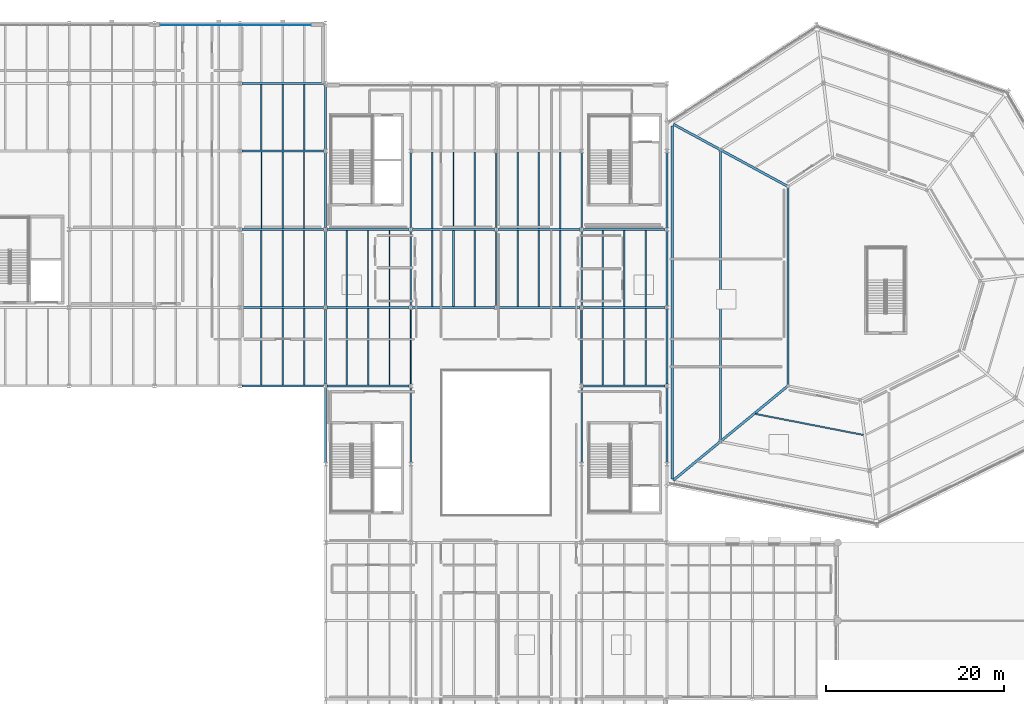
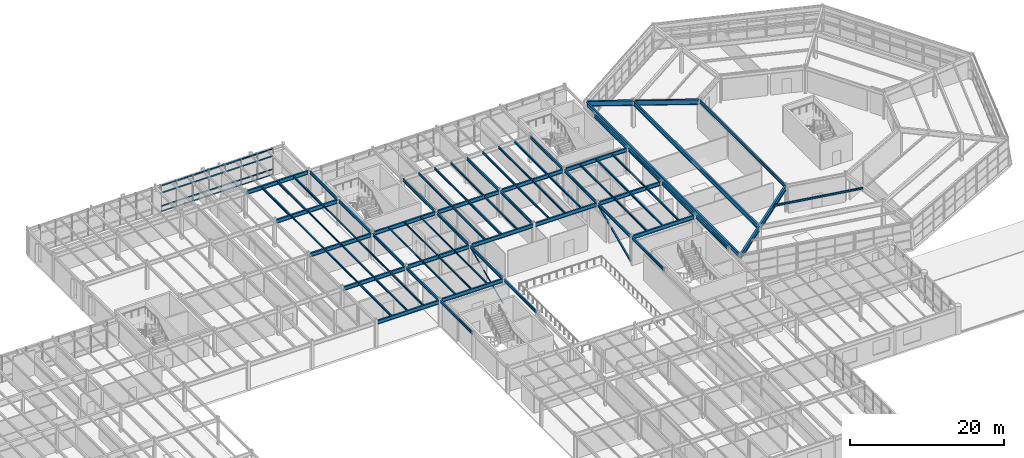
# One storey, part 36 of 77: 76 beams, 6 members, 1 element without a shape of its own.
"""IFC4 building model written with IfcOpenShell, lengths in metres."""

from ifc_helpers import new_model, si_unit, direction, frame, origin, origin_2d, place, context, subcontext, project, spatial, rectangle, hollow_rectangle, i_section, extrude, material, material_profile, profile_set, type_object, element, aggregate, save


model = new_model("IFC4")

# Units and contexts
model_context = context("Model", 3, precision=1e-05, world=origin(), true_north=direction((0.0, 1.0)))
body_context = subcontext(model_context, "Body", "Model", "MODEL_VIEW")
ifc_project = project(units=[si_unit("LENGTHUNIT", "METRE"), si_unit("AREAUNIT", "SQUARE_METRE"), si_unit("VOLUMEUNIT", "CUBIC_METRE"), si_unit("PLANEANGLEUNIT", "RADIAN"), si_unit("MASSUNIT", "GRAM", prefix="KILO")], contexts=[model_context])

# Site, building, storey
site_placement = place(None, origin())
site = spatial("IfcSite", under=ifc_project, at=site_placement, CompositionType="ELEMENT")
building_placement = place(site_placement, origin())
building = spatial("IfcBuilding", under=site, at=building_placement, Name="Sarnbrook Museum", CompositionType="ELEMENT")
storey_placement = place(building_placement, frame((0.0, 0.0, 5.60009765625)))
storey = spatial("IfcBuildingStorey", under=building, at=storey_placement, Name="L01", CompositionType="ELEMENT", Elevation=5.60009765625)

# Beams
ifc_material_1 = material(Name="Structural Steel Grade 300PLUS (AS/NZS 3679.1, fy = 280 MPa for 17 < t <= 40 mm, 300 MPa for t <= 17 mm)", Category="steel")
ifc_material_profile_1 = material_profile(ifc_material_1, i_section(OverallWidth=0.18994140625, OverallDepth=0.45703125, WebThickness=0.009033203125, FlangeThickness=0.014404296875, FilletRadius=0.011474609375, at=origin_2d()), Name="460UB74.6")
ifc_profile_set_1 = profile_set([ifc_material_profile_1], Name="Structural Steel Grade 300PLUS (AS/NZS 3679.1, fy = 280 MPa for 17 < t <= 40 mm, 300 MPa for t <= 17 mm)")
beam_type_1 = type_object("IfcBeamType", Name="BM-UB460", PredefinedType="BEAM", material=ifc_profile_set_1)
for number, where, z_axis, x_axis, name in (
    (1, (80.800048828125, 65.791015625, 4.021484375), (0.0, 1.0, 0.0), (-1.0, 0.0, 0.0), "Girder 9:H-J L01"),
    (2, (80.800048828125, 74.591064453125, 3.951416015625), (0.0, 1.0, 0.0), (-1.0, 0.0, 0.0), "Girder 9:J-K L01"),
    (3, (80.800048828125, 83.39111328125, 3.951416015625), (0.0, 1.0, 0.0), (-1.0, 0.0, 0.0), "Girder 9:K-L L01"),
    (4, (80.800048828125, 92.19091796875, 3.951416015625), (0.0, 1.0, 0.0), (-1.0, 0.0, 0.0), "Girder 9:L-M L01"),
):
    element("IfcBeam", number, at=place(storey_placement, frame(where, z_axis=z_axis, x_axis=x_axis)), inside=storey, type_object=beam_type_1, Name=name, PredefinedType="BEAM", context=body_context, shape_type="SweptSolid", body=[
        extrude(i_section(OverallWidth=0.18994140625, OverallDepth=0.45703125, WebThickness=0.009033203125, FlangeThickness=0.014404296875, FilletRadius=0.011474609375, at=origin_2d()), origin(), (0.0, 0.0, 1.0), 8.41796875),
    ])
beam_1_placement = place(storey_placement, frame((80.800048828125, 100.990966796875, 3.951416015625), z_axis=(0.0, 1.0, 0.0), x_axis=(-1.0, 0.0, 0.0)))
element("IfcBeam", 5, at=beam_1_placement, inside=storey, type_object=beam_type_1, Name="Girder 9:M-N L01", PredefinedType="BEAM", context=body_context, shape_type="SweptSolid", body=[
    extrude(i_section(OverallWidth=0.18994140625, OverallDepth=0.45703125, WebThickness=0.009033203125, FlangeThickness=0.014404296875, FilletRadius=0.011474609375, at=origin_2d()), origin(), (0.0, 0.0, 1.0), 7.218017578125),
])
for number, where, z_axis, x_axis, name in (
    (6, (90.39990234375, 65.791015625, 4.021484375), (0.0, 1.0, 0.0), (-1.0, 0.0, 0.0), "Girder 10:H-J L01"),
    (7, (90.39990234375, 74.591064453125, 4.021484375), (0.0, 1.0, 0.0), (-1.0, 0.0, 0.0), "Girder 10:J-K L01"),
    (8, (90.39990234375, 83.39111328125, 4.021484375), (0.0, 1.0, 0.0), (-1.0, 0.0, 0.0), "Girder 10:K-L L01"),
    (9, (90.39990234375, 92.19091796875, 4.021484375), (0.0, 1.0, 0.0), (-1.0, 0.0, 0.0), "Girder 10:L-M L01"),
    (10, (100.0, 83.39111328125, 4.021484375), (0.0, 1.0, 0.0), (-1.0, 0.0, 0.0), "Girder 11:K-L L01"),
    (11, (100.0, 92.19091796875, 4.021484375), (0.0, 1.0, 0.0), (-1.0, 0.0, 0.0), "Girder 11:L-M L01"),
    (12, (109.60009765625, 65.791015625, 4.021484375), (0.0, 1.0, 0.0), (-1.0, 0.0, 0.0), "Girder 12:H-J L01"),
    (13, (109.60009765625, 74.591064453125, 4.021484375), (0.0, 1.0, 0.0), (-1.0, 0.0, 0.0), "Girder 12:J-K L01"),
    (14, (109.60009765625, 83.39111328125, 4.021484375), (0.0, 1.0, 0.0), (-1.0, 0.0, 0.0), "Girder 12:K-L L01"),
    (15, (109.60009765625, 92.19091796875, 4.021484375), (0.0, 1.0, 0.0), (-1.0, 0.0, 0.0), "Girder 12:L-M L01"),
    (16, (119.199951171875, 65.791015625, 4.021484375), (0.0, 1.0, 0.0), (-1.0, 0.0, 0.0), "Girder 13:H-J L01"),
    (17, (119.199951171875, 74.591064453125, 4.021484375), (0.0, 1.0, 0.0), (-1.0, 0.0, 0.0), "Girder 13:J-K L01"),
    (18, (119.199951171875, 83.39111328125, 4.021484375), (0.0, 1.0, 0.0), (-1.0, 0.0, 0.0), "Girder 13:K-L L01"),
    (19, (119.199951171875, 92.19091796875, 4.021484375), (0.0, 1.0, 0.0), (-1.0, 0.0, 0.0), "Girder 13:L-M L01"),
):
    element("IfcBeam", number, at=place(storey_placement, frame(where, z_axis=z_axis, x_axis=x_axis)), inside=storey, type_object=beam_type_1, Name=name, PredefinedType="BEAM", context=body_context, shape_type="SweptSolid", body=[
        extrude(i_section(OverallWidth=0.18994140625, OverallDepth=0.45703125, WebThickness=0.009033203125, FlangeThickness=0.014404296875, FilletRadius=0.011474609375, at=origin_2d()), origin(), (0.0, 0.0, 1.0), 8.41796875),
    ])
ifc_material_profile_2 = material_profile(ifc_material_1, i_section(OverallWidth=0.208984375, OverallDepth=0.532958984375, WebThickness=0.01025390625, FlangeThickness=0.015625, FilletRadius=0.013916015625, at=origin_2d()), Name="530UB92.4")
ifc_profile_set_2 = profile_set([ifc_material_profile_2], Name="Structural Steel Grade 300PLUS (AS/NZS 3679.1, fy = 280 MPa for 17 < t <= 40 mm, 300 MPa for t <= 17 mm)")
beam_type_2 = type_object("IfcBeamType", Name="BM-UB530", PredefinedType="BEAM", material=ifc_profile_set_2)
beam_2_placement = place(storey_placement, frame((132.800048828125, 96.692138671875, 3.973388671875), z_axis=(0.0, -1.0, 0.0), x_axis=(1.0, 0.0, 0.0)))
element("IfcBeam", 20, at=beam_2_placement, inside=storey, type_object=beam_type_2, Name="Crystal Hall R2 Ring Girder 7 L01", PredefinedType="BEAM", context=body_context, shape_type="SweptSolid", body=[
    extrude(i_section(OverallWidth=0.208984375, OverallDepth=0.532958984375, WebThickness=0.01025390625, FlangeThickness=0.015625, FilletRadius=0.013916015625, at=origin_2d()), origin(), (0.0, 0.0, 1.0), 22.1669921875),
])
ifc_material_profile_3 = material_profile(ifc_material_1, i_section(OverallWidth=0.22802734375, OverallDepth=0.60693359375, WebThickness=0.01123046875, FlangeThickness=0.017333984375, FilletRadius=0.013916015625, at=origin_2d()), Name="610UB113")
ifc_profile_set_3 = profile_set([ifc_material_profile_3], Name="Structural Steel Grade 300PLUS (AS/NZS 3679.1, fy = 280 MPa for 17 < t <= 40 mm, 300 MPa for t <= 17 mm)")
beam_type_3 = type_object("IfcBeamType", Name="BM-UB610", PredefinedType="BEAM", material=ifc_profile_set_3)
beam_3_placement = place(storey_placement, frame((71.39990234375, 74.39990234375, 3.87646484375), z_axis=(1.0, 0.0, 0.0), x_axis=(0.0, 1.0, 0.0)))
element("IfcBeam", 21, at=beam_3_placement, inside=storey, type_object=beam_type_3, Name="Girder J:8-9 L01", PredefinedType="BEAM", context=body_context, shape_type="SweptSolid", body=[
    extrude(i_section(OverallWidth=0.22802734375, OverallDepth=0.60693359375, WebThickness=0.01123046875, FlangeThickness=0.017333984375, FilletRadius=0.013916015625, at=origin_2d()), origin(), (0.0, 0.0, 1.0), 9.2001953125),
])
for number, where, z_axis, x_axis, name in (
    (22, (81.0, 74.39990234375, 3.9462890625), (1.0, 0.0, 0.0), (0.0, 1.0, 0.0), "Girder J:9-10 L01"),
    (23, (109.800048828125, 74.39990234375, 3.9462890625), (1.0, 0.0, 0.0), (0.0, 1.0, 0.0), "Girder J:12-13 L01"),
):
    element("IfcBeam", number, at=place(storey_placement, frame(where, z_axis=z_axis, x_axis=x_axis)), inside=storey, type_object=beam_type_3, Name=name, PredefinedType="BEAM", context=body_context, shape_type="SweptSolid", body=[
        extrude(i_section(OverallWidth=0.22802734375, OverallDepth=0.60693359375, WebThickness=0.01123046875, FlangeThickness=0.017333984375, FilletRadius=0.013916015625, at=origin_2d()), origin(), (0.0, 0.0, 1.0), 9.199951171875),
    ])
beam_4_placement = place(storey_placement, frame((71.39990234375, 83.199951171875, 3.87646484375), z_axis=(1.0, 0.0, 0.0), x_axis=(0.0, 1.0, 0.0)))
element("IfcBeam", 24, at=beam_4_placement, inside=storey, type_object=beam_type_3, Name="Girder K:8-9 L01", PredefinedType="BEAM", context=body_context, shape_type="SweptSolid", body=[
    extrude(i_section(OverallWidth=0.22802734375, OverallDepth=0.60693359375, WebThickness=0.01123046875, FlangeThickness=0.017333984375, FilletRadius=0.013916015625, at=origin_2d()), origin(), (0.0, 0.0, 1.0), 9.2001953125),
])
for number, where, z_axis, x_axis, name in (
    (25, (81.0, 83.199951171875, 3.9462890625), (1.0, 0.0, 0.0), (0.0, 1.0, 0.0), "Girder K:9-10 L01"),
    (26, (90.60009765625, 83.199951171875, 3.9462890625), (1.0, 0.0, 0.0), (0.0, 1.0, 0.0), "Girder K:10-11 L01"),
    (27, (100.199951171875, 83.199951171875, 3.9462890625), (1.0, 0.0, 0.0), (0.0, 1.0, 0.0), "Girder K:11-12 L01"),
    (28, (109.800048828125, 83.199951171875, 3.9462890625), (1.0, 0.0, 0.0), (0.0, 1.0, 0.0), "Girder K:12-13 L01"),
):
    element("IfcBeam", number, at=place(storey_placement, frame(where, z_axis=z_axis, x_axis=x_axis)), inside=storey, type_object=beam_type_3, Name=name, PredefinedType="BEAM", context=body_context, shape_type="SweptSolid", body=[
        extrude(i_section(OverallWidth=0.22802734375, OverallDepth=0.60693359375, WebThickness=0.01123046875, FlangeThickness=0.017333984375, FilletRadius=0.013916015625, at=origin_2d()), origin(), (0.0, 0.0, 1.0), 9.199951171875),
    ])
beam_5_placement = place(storey_placement, frame((71.39990234375, 92.0, 3.87646484375), z_axis=(1.0, 0.0, 0.0), x_axis=(0.0, 1.0, 0.0)))
element("IfcBeam", 29, at=beam_5_placement, inside=storey, type_object=beam_type_3, Name="Girder L:8-9 L01", PredefinedType="BEAM", context=body_context, shape_type="SweptSolid", body=[
    extrude(i_section(OverallWidth=0.22802734375, OverallDepth=0.60693359375, WebThickness=0.01123046875, FlangeThickness=0.017333984375, FilletRadius=0.013916015625, at=origin_2d()), origin(), (0.0, 0.0, 1.0), 9.2001953125),
])
for number, where, z_axis, x_axis, name in (
    (30, (81.0, 92.0, 3.9462890625), (1.0, 0.0, 0.0), (0.0, 1.0, 0.0), "Girder L:9-10 L01"),
    (31, (90.60009765625, 92.0, 3.9462890625), (1.0, 0.0, 0.0), (0.0, 1.0, 0.0), "Girder L:10-11 L01"),
    (32, (100.199951171875, 92.0, 3.9462890625), (1.0, 0.0, 0.0), (0.0, 1.0, 0.0), "Girder L:11-12 L01"),
    (33, (109.800048828125, 92.0, 3.9462890625), (1.0, 0.0, 0.0), (0.0, 1.0, 0.0), "Girder L:12-13 L01"),
):
    element("IfcBeam", number, at=place(storey_placement, frame(where, z_axis=z_axis, x_axis=x_axis)), inside=storey, type_object=beam_type_3, Name=name, PredefinedType="BEAM", context=body_context, shape_type="SweptSolid", body=[
        extrude(i_section(OverallWidth=0.22802734375, OverallDepth=0.60693359375, WebThickness=0.01123046875, FlangeThickness=0.017333984375, FilletRadius=0.013916015625, at=origin_2d()), origin(), (0.0, 0.0, 1.0), 9.199951171875),
    ])
for number, where, z_axis, x_axis, name in (
    (34, (71.39990234375, 100.800048828125, 3.87646484375), (1.0, 0.0, 0.0), (0.0, 1.0, 0.0), "Girder M:8-9 L01"),
    (35, (71.39990234375, 108.39990234375, 3.87646484375), (1.0, 0.0, 0.0), (0.0, 1.0, 0.0), "Girder N:8-9 L01"),
):
    element("IfcBeam", number, at=place(storey_placement, frame(where, z_axis=z_axis, x_axis=x_axis)), inside=storey, type_object=beam_type_3, Name=name, PredefinedType="BEAM", context=body_context, shape_type="SweptSolid", body=[
        extrude(i_section(OverallWidth=0.22802734375, OverallDepth=0.60693359375, WebThickness=0.01123046875, FlangeThickness=0.017333984375, FilletRadius=0.013916015625, at=origin_2d()), origin(), (0.0, 0.0, 1.0), 9.2001953125),
    ])
ifc_material_2 = material(Name="Structural Steel Grade 350L0 (AS/NZS 3678, fy = 340 MPa for 20 < t <= 40 mm)", Category="steel")
ifc_material_profile_4 = material_profile(ifc_material_2, i_section(OverallWidth=0.25, OverallDepth=0.699951171875, WebThickness=0.010009765625, FlangeThickness=0.01611328125, at=origin_2d()), Name="700WB130")
ifc_profile_set_4 = profile_set([ifc_material_profile_4], Name="Structural Steel Grade 350L0 (AS/NZS 3678, fy = 340 MPa for 20 < t <= 40 mm)")
beam_type_4 = type_object("IfcBeamType", Name="BM-WB700", PredefinedType="BEAM", material=ifc_profile_set_4)
beam_6_placement = place(storey_placement, frame((119.79248046875, 103.628173828125, 3.889892578125), z_axis=(0.0, -1.0, 0.0), x_axis=(1.0, 0.0, 0.0)))
element("IfcBeam", 36, at=beam_6_placement, inside=storey, type_object=beam_type_4, Name="Crystal Hall Perimeter Ring Girder 7 L01", PredefinedType="BEAM", context=body_context, shape_type="SweptSolid", body=[
    extrude(i_section(OverallWidth=0.25, OverallDepth=0.699951171875, WebThickness=0.010009765625, FlangeThickness=0.01611328125, at=origin_2d()), origin(), (0.0, 0.0, 1.0), 39.690185546875),
])
beam_7_placement = place(storey_placement, frame((125.199951171875, 100.780517578125, 3.889892578125), z_axis=(0.0, -1.0, 0.0), x_axis=(1.0, 0.0, 0.0)))
element("IfcBeam", 37, at=beam_7_placement, inside=storey, type_object=beam_type_4, Name="Crystal Hall R1 Ring Girder 7 L01", PredefinedType="BEAM", context=body_context, shape_type="SweptSolid", body=[
    extrude(i_section(OverallWidth=0.25, OverallDepth=0.699951171875, WebThickness=0.010009765625, FlangeThickness=0.01611328125, at=origin_2d()), origin(), (0.0, 0.0, 1.0), 32.47705078125),
])

# Member
ifc_material_3 = material(Name="Structural Steel Hollow Section Grade C350L0 (AS/NZS 1163, fy = 350 MPa)", Category="steel")
ifc_material_profile_5 = material_profile(ifc_material_3, hollow_rectangle(XDim=0.199951171875, YDim=0.199951171875, WallThickness=0.010009765625, at=origin_2d()), Name="200x200x10.0SHS")
ifc_profile_set_5 = profile_set([ifc_material_profile_5], Name="Structural Steel Hollow Section Grade C350L0 (AS/NZS 1163, fy = 350 MPa)")
member_type_1 = type_object("IfcMemberType", Name="CH-SHS200", PredefinedType="CHORD", material=ifc_profile_set_5)
member_1_placement = place(storey_placement, frame((109.60009765625, 74.580078125, 0.119873046875), z_axis=(0.0, 0.914658395799, 0.404227682124), x_axis=(-1.0, 0.0, 0.0)))
element("IfcMember", 38, at=member_1_placement, inside=storey, type_object=member_type_1, Name="Lateral Diagonal Brace CBF-4 L01", PredefinedType="CHORD", context=body_context, shape_type="SweptSolid", body=[
    extrude(hollow_rectangle(XDim=0.199951171875, YDim=0.199951171875, WallThickness=0.010009765625, at=origin_2d()), origin(), (0.0, 0.0, 1.0), 9.2275390625),
])

# Beams
ifc_material_profile_6 = material_profile(ifc_material_2, i_section(OverallWidth=0.27490234375, OverallDepth=0.800048828125, WebThickness=0.010009765625, FlangeThickness=0.01611328125, at=origin_2d()), Name="800WB146")
ifc_profile_set_6 = profile_set([ifc_material_profile_6], Name="Structural Steel Grade 350L0 (AS/NZS 3678, fy = 340 MPa for 20 < t <= 40 mm)")
beam_type_5 = type_object("IfcBeamType", Name="CR-CANT", PredefinedType="BEAM", material=ifc_profile_set_6)
beam_8_placement = place(storey_placement, frame((132.70751953125, 74.328857421875, 3.83984375), z_axis=(-0.771788283103, -0.635879584564, 0.0), x_axis=(0.635879584564, -0.771788283103, 0.0)))
element("IfcBeam", 39, at=beam_8_placement, inside=storey, type_object=beam_type_5, Name="Crystal Hall Radial Cantilever Girder 1 L01", PredefinedType="BEAM", context=body_context, shape_type="SweptSolid", body=[
    extrude(i_section(OverallWidth=0.27490234375, OverallDepth=0.800048828125, WebThickness=0.010009765625, FlangeThickness=0.01611328125, at=origin_2d()), origin(), (0.0, 0.0, 1.0), 16.583984375),
])
beam_9_placement = place(storey_placement, frame((132.694580078125, 96.869384765625, 3.83984375), z_axis=(-0.878714128477, 0.477348384741, 0.0), x_axis=(-0.477348384741, -0.878714128477, 0.0)))
element("IfcBeam", 40, at=beam_9_placement, inside=storey, type_object=beam_type_5, Name="Crystal Hall Radial Cantilever Girder 7 L01", PredefinedType="BEAM", context=body_context, shape_type="SweptSolid", body=[
    extrude(i_section(OverallWidth=0.27490234375, OverallDepth=0.800048828125, WebThickness=0.010009765625, FlangeThickness=0.01611328125, at=origin_2d()), origin(), (0.0, 0.0, 1.0), 14.532958984375),
])

# Curtain wall, members
ifc_material_4 = material(Name="Thermally Broken Anodised Aluminium 6063-T6", Category="aluminium")
curtain_wall_type = type_object("IfcCurtainWallType", Name="CurtainWall_GalleryRibbon", PredefinedType="NOTDEFINED", material=ifc_material_4)
curtain_wall_placement = place(storey_placement, origin())
curtain_wall = element("IfcCurtainWall", 41, at=curtain_wall_placement, inside=storey, type_object=curtain_wall_type, Name="Gallery Ribbon Curtain Wall L01-8.1", PredefinedType="NOTDEFINED")
ifc_material_profile_7 = material_profile(ifc_material_4, rectangle(XDim=0.06494140625, YDim=0.139892578125, at=origin_2d()), Name="ALU TRANSOM 65x140")
ifc_profile_set_7 = profile_set([ifc_material_profile_7], Name="Thermally Broken Anodised Aluminium 6063-T6")
member_type_2 = type_object("IfcMemberType", Name="CW_Transom_150x65", PredefinedType="USERDEFINED", material=ifc_profile_set_7)
member_2_placement = place(storey_placement, frame((79.1298828125, 114.989990234375, 0.039794921875), z_axis=(-1.0, 0.0, 0.0), x_axis=(0.0, -1.0, 0.0)))
member_2 = element("IfcMember", 42, at=member_2_placement, type_object=member_type_2, Name="Gallery Ribbon Curtain Wall L01-8.1 Transom 1", ObjectType="TRANSOM", PredefinedType="USERDEFINED", context=body_context, shape_type="SweptSolid", body=[
    extrude(rectangle(XDim=0.06494140625, YDim=0.139892578125, at=origin_2d()), origin(), (0.0, 0.0, 1.0), 16.85986328125),
])
member_3_placement = place(storey_placement, frame((79.1298828125, 114.989990234375, 0.89990234375), z_axis=(-1.0, 0.0, 0.0), x_axis=(0.0, -1.0, 0.0)))
member_3 = element("IfcMember", 43, at=member_3_placement, type_object=member_type_2, Name="Gallery Ribbon Curtain Wall L01-8.1 Transom 2", ObjectType="TRANSOM", PredefinedType="USERDEFINED", context=body_context, shape_type="SweptSolid", body=[
    extrude(rectangle(XDim=0.06494140625, YDim=0.139892578125, at=origin_2d()), origin(), (0.0, 0.0, 1.0), 16.85986328125),
])
member_4_placement = place(storey_placement, frame((79.1298828125, 114.989990234375, 3.0), z_axis=(-1.0, 0.0, 0.0), x_axis=(0.0, -1.0, 0.0)))
member_4 = element("IfcMember", 44, at=member_4_placement, type_object=member_type_2, Name="Gallery Ribbon Curtain Wall L01-8.1 Transom 3", ObjectType="TRANSOM", PredefinedType="USERDEFINED", context=body_context, shape_type="SweptSolid", body=[
    extrude(rectangle(XDim=0.06494140625, YDim=0.139892578125, at=origin_2d()), origin(), (0.0, 0.0, 1.0), 16.85986328125),
])
member_5_placement = place(storey_placement, frame((79.1298828125, 114.989990234375, 4.119873046875), z_axis=(-1.0, 0.0, 0.0), x_axis=(0.0, -1.0, 0.0)))
member_5 = element("IfcMember", 45, at=member_5_placement, type_object=member_type_2, Name="Gallery Ribbon Curtain Wall L01-8.1 Transom 4", ObjectType="TRANSOM", PredefinedType="USERDEFINED", context=body_context, shape_type="SweptSolid", body=[
    extrude(rectangle(XDim=0.06494140625, YDim=0.139892578125, at=origin_2d()), origin(), (0.0, 0.0, 1.0), 16.85986328125),
])
aggregate(curtain_wall, [member_2, member_3, member_4, member_5])

# Beams
ifc_material_profile_8 = material_profile(ifc_material_1, i_section(OverallWidth=0.134033203125, OverallDepth=0.20703125, WebThickness=0.00634765625, FlangeThickness=0.009521484375, FilletRadius=0.0087890625, at=origin_2d()), Name="200UB29.8")
ifc_profile_set_8 = profile_set([ifc_material_profile_8], Name="Structural Steel Grade 300PLUS (AS/NZS 3679.1, fy = 280 MPa for 17 < t <= 40 mm, 300 MPa for t <= 17 mm)")
beam_type_6 = type_object("IfcBeamType", Name="JS-UB200", PredefinedType="JOIST", material=ifc_profile_set_8)
for number, where, z_axis, x_axis, name in (
    (46, (73.60009765625, 92.114013671875, 4.076416015625), (0.0, 1.0, 0.0), (-1.0, 0.0, 0.0), "Composite Floor Joist 8L-1 L01"),
    (47, (76.0, 92.114013671875, 4.076416015625), (0.0, 1.0, 0.0), (-1.0, 0.0, 0.0), "Composite Floor Joist 8L-2 L01"),
    (48, (78.39990234375, 92.114013671875, 4.076416015625), (0.0, 1.0, 0.0), (-1.0, 0.0, 0.0), "Composite Floor Joist 8L-3 L01"),
    (49, (83.199951171875, 83.31396484375, 4.146484375), (0.0, 1.0, 0.0), (-1.0, 0.0, 0.0), "Composite Floor Joist 9K-1 L01"),
    (50, (85.60009765625, 83.31396484375, 4.146484375), (0.0, 1.0, 0.0), (-1.0, 0.0, 0.0), "Composite Floor Joist 9K-2 L01"),
    (51, (88.0, 83.31396484375, 4.146484375), (0.0, 1.0, 0.0), (-1.0, 0.0, 0.0), "Composite Floor Joist 9K-3 L01"),
):
    element("IfcBeam", number, at=place(storey_placement, frame(where, z_axis=z_axis, x_axis=x_axis)), inside=storey, type_object=beam_type_6, Name=name, PredefinedType="JOIST", context=body_context, shape_type="SweptSolid", body=[
        extrude(i_section(OverallWidth=0.134033203125, OverallDepth=0.20703125, WebThickness=0.00634765625, FlangeThickness=0.009521484375, FilletRadius=0.0087890625, at=origin_2d()), origin(), (0.0, 0.0, 1.0), 8.572021484375),
    ])
ifc_material_profile_9 = material_profile(ifc_material_1, i_section(OverallWidth=0.14599609375, OverallDepth=0.256103515625, WebThickness=0.00634765625, FlangeThickness=0.010986328125, FilletRadius=0.0087890625, at=origin_2d()), Name="250UB37.3")
ifc_profile_set_9 = profile_set([ifc_material_profile_9], Name="Structural Steel Grade 300PLUS (AS/NZS 3679.1, fy = 280 MPa for 17 < t <= 40 mm, 300 MPa for t <= 17 mm)")
beam_type_7 = type_object("IfcBeamType", Name="JS-UB250", PredefinedType="JOIST", material=ifc_profile_set_9)
for number, where, z_axis, x_axis, name in (
    (52, (73.60009765625, 83.31396484375, 4.052001953125), (0.0, 1.0, 0.0), (-1.0, 0.0, 0.0), "Composite Floor Joist 8K-1 L01"),
    (53, (76.0, 83.31396484375, 4.052001953125), (0.0, 1.0, 0.0), (-1.0, 0.0, 0.0), "Composite Floor Joist 8K-2 L01"),
    (54, (78.39990234375, 83.31396484375, 4.052001953125), (0.0, 1.0, 0.0), (-1.0, 0.0, 0.0), "Composite Floor Joist 8K-3 L01"),
    (55, (83.199951171875, 74.513916015625, 4.121826171875), (0.0, 1.0, 0.0), (-1.0, 0.0, 0.0), "Composite Floor Joist 9J-1 L01"),
    (56, (85.60009765625, 74.513916015625, 4.121826171875), (0.0, 1.0, 0.0), (-1.0, 0.0, 0.0), "Composite Floor Joist 9J-2 L01"),
    (57, (88.0, 74.513916015625, 4.121826171875), (0.0, 1.0, 0.0), (-1.0, 0.0, 0.0), "Composite Floor Joist 9J-3 L01"),
):
    element("IfcBeam", number, at=place(storey_placement, frame(where, z_axis=z_axis, x_axis=x_axis)), inside=storey, type_object=beam_type_7, Name=name, PredefinedType="JOIST", context=body_context, shape_type="SweptSolid", body=[
        extrude(i_section(OverallWidth=0.14599609375, OverallDepth=0.256103515625, WebThickness=0.00634765625, FlangeThickness=0.010986328125, FilletRadius=0.0087890625, at=origin_2d()), origin(), (0.0, 0.0, 1.0), 8.572021484375),
    ])
ifc_material_profile_10 = material_profile(ifc_material_1, i_section(OverallWidth=0.1650390625, OverallDepth=0.303955078125, WebThickness=0.006103515625, FlangeThickness=0.01025390625, FilletRadius=0.011474609375, at=origin_2d()), Name="310UB40.4")
ifc_profile_set_10 = profile_set([ifc_material_profile_10], Name="Structural Steel Grade 300PLUS (AS/NZS 3679.1, fy = 280 MPa for 17 < t <= 40 mm, 300 MPa for t <= 17 mm)")
beam_type_8 = type_object("IfcBeamType", Name="JS-UB310", PredefinedType="JOIST", material=ifc_profile_set_10)
for number, where, z_axis, x_axis, name in (
    (58, (73.60009765625, 74.513916015625, 4.02783203125), (0.0, 1.0, 0.0), (-1.0, 0.0, 0.0), "Composite Floor Joist 8J-1 L01"),
    (59, (76.0, 74.513916015625, 4.02783203125), (0.0, 1.0, 0.0), (-1.0, 0.0, 0.0), "Composite Floor Joist 8J-2 L01"),
    (60, (78.39990234375, 74.513916015625, 4.02783203125), (0.0, 1.0, 0.0), (-1.0, 0.0, 0.0), "Composite Floor Joist 8J-3 L01"),
    (61, (102.39990234375, 92.114013671875, 4.097900390625), (0.0, 1.0, 0.0), (-1.0, 0.0, 0.0), "Composite Floor Joist 11L-1 L01"),
    (62, (104.800048828125, 92.114013671875, 4.097900390625), (0.0, 1.0, 0.0), (-1.0, 0.0, 0.0), "Composite Floor Joist 11L-2 L01"),
    (63, (107.199951171875, 92.114013671875, 4.097900390625), (0.0, 1.0, 0.0), (-1.0, 0.0, 0.0), "Composite Floor Joist 11L-3 L01"),
    (64, (112.0, 83.31396484375, 4.097900390625), (0.0, 1.0, 0.0), (-1.0, 0.0, 0.0), "Composite Floor Joist 12K-1 L01"),
    (65, (114.39990234375, 83.31396484375, 4.097900390625), (0.0, 1.0, 0.0), (-1.0, 0.0, 0.0), "Composite Floor Joist 12K-2 L01"),
    (66, (116.800048828125, 83.31396484375, 4.097900390625), (0.0, 1.0, 0.0), (-1.0, 0.0, 0.0), "Composite Floor Joist 12K-3 L01"),
):
    element("IfcBeam", number, at=place(storey_placement, frame(where, z_axis=z_axis, x_axis=x_axis)), inside=storey, type_object=beam_type_8, Name=name, PredefinedType="JOIST", context=body_context, shape_type="SweptSolid", body=[
        extrude(i_section(OverallWidth=0.1650390625, OverallDepth=0.303955078125, WebThickness=0.006103515625, FlangeThickness=0.01025390625, FilletRadius=0.011474609375, at=origin_2d()), origin(), (0.0, 0.0, 1.0), 8.572021484375),
    ])
beam_10_placement = place(storey_placement, frame((129.156982421875, 71.24365234375, 4.087890625), z_axis=(0.981530313101, -0.191306676475, 0.0), x_axis=(0.191306676475, 0.981530313101, 0.0)))
element("IfcBeam", 67, at=beam_10_placement, inside=storey, type_object=beam_type_8, Name="Crystal Hall Tangential Joist MI-1 L01", PredefinedType="JOIST", context=body_context, shape_type="SweptSolid", body=[
    extrude(i_section(OverallWidth=0.1650390625, OverallDepth=0.303955078125, WebThickness=0.006103515625, FlangeThickness=0.01025390625, FilletRadius=0.011474609375, at=origin_2d()), origin(), (0.0, 0.0, 1.0), 12.33544921875),
])
ifc_material_profile_11 = material_profile(ifc_material_1, i_section(OverallWidth=0.166015625, OverallDepth=0.306884765625, WebThickness=0.006591796875, FlangeThickness=0.01171875, FilletRadius=0.011474609375, at=origin_2d()), Name="310UB46.2")
ifc_profile_set_11 = profile_set([ifc_material_profile_11], Name="Structural Steel Grade 300PLUS (AS/NZS 3679.1, fy = 280 MPa for 17 < t <= 40 mm, 300 MPa for t <= 17 mm)")
beam_type_9 = type_object("IfcBeamType", Name="JS-UB310H", PredefinedType="JOIST", material=ifc_profile_set_11)
for number, where, z_axis, x_axis, name in (
    (68, (92.800048828125, 92.114013671875, 4.096435546875), (0.0, 1.0, 0.0), (-1.0, 0.0, 0.0), "Composite Floor Joist 10L-1 L01"),
    (69, (95.199951171875, 92.114013671875, 4.096435546875), (0.0, 1.0, 0.0), (-1.0, 0.0, 0.0), "Composite Floor Joist 10L-2 L01"),
    (70, (97.60009765625, 92.114013671875, 4.096435546875), (0.0, 1.0, 0.0), (-1.0, 0.0, 0.0), "Composite Floor Joist 10L-3 L01"),
    (71, (102.39990234375, 83.31396484375, 4.096435546875), (0.0, 1.0, 0.0), (-1.0, 0.0, 0.0), "Composite Floor Joist 11K-1 L01"),
    (72, (104.800048828125, 83.31396484375, 4.096435546875), (0.0, 1.0, 0.0), (-1.0, 0.0, 0.0), "Composite Floor Joist 11K-2 L01"),
    (73, (107.199951171875, 83.31396484375, 4.096435546875), (0.0, 1.0, 0.0), (-1.0, 0.0, 0.0), "Composite Floor Joist 11K-3 L01"),
    (74, (112.0, 74.513916015625, 4.096435546875), (0.0, 1.0, 0.0), (-1.0, 0.0, 0.0), "Composite Floor Joist 12J-1 L01"),
    (75, (114.39990234375, 74.513916015625, 4.096435546875), (0.0, 1.0, 0.0), (-1.0, 0.0, 0.0), "Composite Floor Joist 12J-2 L01"),
    (76, (116.800048828125, 74.513916015625, 4.096435546875), (0.0, 1.0, 0.0), (-1.0, 0.0, 0.0), "Composite Floor Joist 12J-3 L01"),
):
    element("IfcBeam", number, at=place(storey_placement, frame(where, z_axis=z_axis, x_axis=x_axis)), inside=storey, type_object=beam_type_9, Name=name, PredefinedType="JOIST", context=body_context, shape_type="SweptSolid", body=[
        extrude(i_section(OverallWidth=0.166015625, OverallDepth=0.306884765625, WebThickness=0.006591796875, FlangeThickness=0.01171875, FilletRadius=0.011474609375, at=origin_2d()), origin(), (0.0, 0.0, 1.0), 8.572021484375),
    ])
ifc_material_profile_12 = material_profile(ifc_material_1, i_section(OverallWidth=0.1708984375, OverallDepth=0.35595703125, WebThickness=0.00732421875, FlangeThickness=0.011474609375, FilletRadius=0.011474609375, at=origin_2d()), Name="360UB50.7")
ifc_profile_set_12 = profile_set([ifc_material_profile_12], Name="Structural Steel Grade 300PLUS (AS/NZS 3679.1, fy = 280 MPa for 17 < t <= 40 mm, 300 MPa for t <= 17 mm)")
beam_type_10 = type_object("IfcBeamType", Name="JS-UB360", PredefinedType="JOIST", material=ifc_profile_set_12)
for number, where, z_axis, x_axis, name in (
    (77, (73.60009765625, 100.9140625, 4.001953125), (0.0, 1.0, 0.0), (-1.0, 0.0, 0.0), "Composite Floor Joist 8M-1 L01"),
    (78, (76.0, 100.9140625, 4.001953125), (0.0, 1.0, 0.0), (-1.0, 0.0, 0.0), "Composite Floor Joist 8M-2 L01"),
    (79, (78.39990234375, 100.9140625, 4.001953125), (0.0, 1.0, 0.0), (-1.0, 0.0, 0.0), "Composite Floor Joist 8M-3 L01"),
):
    element("IfcBeam", number, at=place(storey_placement, frame(where, z_axis=z_axis, x_axis=x_axis)), inside=storey, type_object=beam_type_10, Name=name, PredefinedType="JOIST", context=body_context, shape_type="SweptSolid", body=[
        extrude(i_section(OverallWidth=0.1708984375, OverallDepth=0.35595703125, WebThickness=0.00732421875, FlangeThickness=0.011474609375, FilletRadius=0.011474609375, at=origin_2d()), origin(), (0.0, 0.0, 1.0), 7.371826171875),
    ])
for number, where, z_axis, x_axis, name in (
    (80, (92.800048828125, 83.31396484375, 4.072021484375), (0.0, 1.0, 0.0), (-1.0, 0.0, 0.0), "Composite Floor Joist 10K-1 L01"),
    (81, (95.199951171875, 83.31396484375, 4.072021484375), (0.0, 1.0, 0.0), (-1.0, 0.0, 0.0), "Composite Floor Joist 10K-2 L01"),
    (82, (97.60009765625, 83.31396484375, 4.072021484375), (0.0, 1.0, 0.0), (-1.0, 0.0, 0.0), "Composite Floor Joist 10K-3 L01"),
):
    element("IfcBeam", number, at=place(storey_placement, frame(where, z_axis=z_axis, x_axis=x_axis)), inside=storey, type_object=beam_type_10, Name=name, PredefinedType="JOIST", context=body_context, shape_type="SweptSolid", body=[
        extrude(i_section(OverallWidth=0.1708984375, OverallDepth=0.35595703125, WebThickness=0.00732421875, FlangeThickness=0.011474609375, FilletRadius=0.011474609375, at=origin_2d()), origin(), (0.0, 0.0, 1.0), 8.572021484375),
    ])

# Member
ifc_material_profile_13 = material_profile(ifc_material_3, hollow_rectangle(XDim=0.125, YDim=0.125, WallThickness=0.008056640625, at=origin_2d()), Name="125x125x8.0SHS")
ifc_profile_set_13 = profile_set([ifc_material_profile_13], Name="Structural Steel Hollow Section Grade C350L0 (AS/NZS 1163, fy = 350 MPa)")
member_type_3 = type_object("IfcMemberType", Name="MB-SHS125", PredefinedType="BRACE", material=ifc_profile_set_13)
member_6_placement = place(storey_placement, frame((90.39990234375, 74.580078125, 0.119873046875), z_axis=(0.0, 0.914658395799, 0.404227682124), x_axis=(-1.0, 0.0, 0.0)))
element("IfcMember", 83, at=member_6_placement, inside=storey, type_object=member_type_3, Name="Lateral Diagonal Brace CBF-3 L01", PredefinedType="BRACE", context=body_context, shape_type="SweptSolid", body=[
    extrude(hollow_rectangle(XDim=0.125, YDim=0.125, WallThickness=0.008056640625, at=origin_2d()), origin(), (0.0, 0.0, 1.0), 9.2275390625),
])

save(model, "model.ifc")
